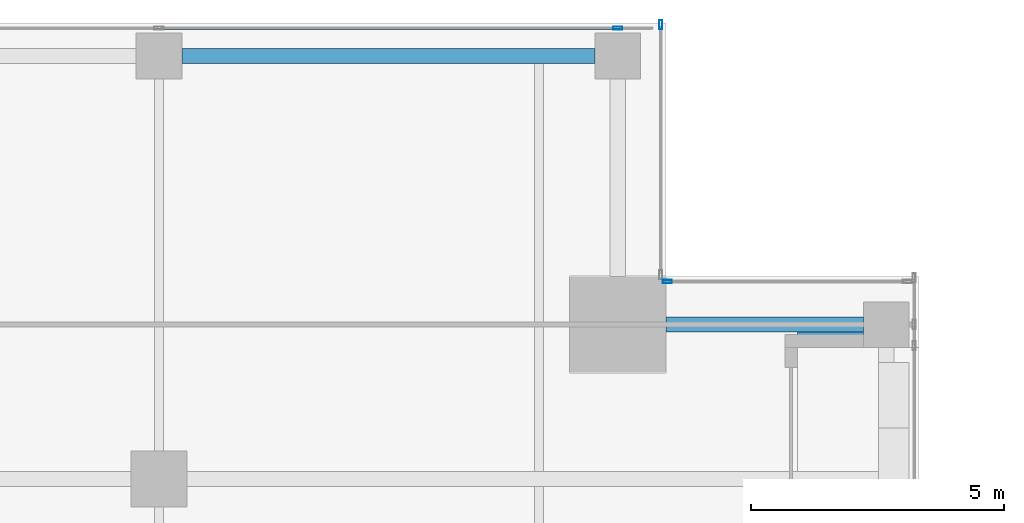
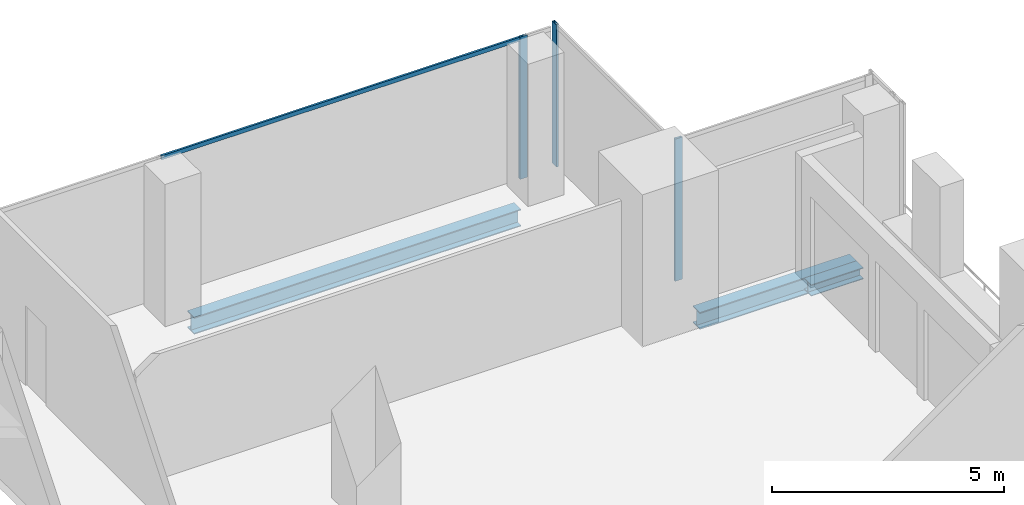
# One storey, part 21 of 34: 4 members, 3 beams, 3 elements without a shape of their own.
"""IFC4 building model written with IfcOpenShell, lengths in metres."""

from ifc_helpers import new_model, si_unit, direction, frame, origin, origin_2d, place, context, subcontext, project, spatial, hollow_rectangle, i_section, extrude, source, transform, mapped, material, material_profile, profile_set, type_object, element, aggregate, save


model = new_model("IFC4")

# Units and contexts
model_context = context("Model", 3, precision=1e-05, world=origin(), true_north=direction((0.0, 1.0)))
body_context = subcontext(model_context, "Body", "Model", "MODEL_VIEW")
ifc_project = project(units=[si_unit("LENGTHUNIT", "METRE"), si_unit("AREAUNIT", "SQUARE_METRE"), si_unit("VOLUMEUNIT", "CUBIC_METRE"), si_unit("PLANEANGLEUNIT", "RADIAN"), si_unit("MASSUNIT", "GRAM", prefix="KILO")], contexts=[model_context])

# Site, building, storey
site_placement = place(None, origin())
site = spatial("IfcSite", under=ifc_project, at=site_placement, CompositionType="ELEMENT")
building_placement = place(site_placement, origin())
building = spatial("IfcBuilding", under=site, at=building_placement, Name="Khomas Fold Tower", CompositionType="ELEMENT")
storey_placement = place(building_placement, frame((0.0, 0.0, 254.199951171875)))
storey = spatial("IfcBuildingStorey", under=building, at=storey_placement, Name="L57", CompositionType="ELEMENT", Elevation=254.199951171875)

# Beams
ifc_material_1 = material(Name="Steel S355", Category="steel")
ifc_material_profile_1 = material_profile(ifc_material_1, i_section(OverallWidth=0.300048828125, OverallDepth=0.449951171875, WebThickness=0.013916015625, FlangeThickness=0.02587890625, at=origin_2d()), Name="HE 450 B")
ifc_profile_set_1 = profile_set([ifc_material_profile_1], Name="Steel S355")
beam_type_1 = type_object("IfcBeamType", Name="HE 450 B spandrel SB4", PredefinedType="SPANDREL", material=ifc_profile_set_1)
shared_shape_1 = source(origin(), body_context, "Body", "SweptSolid", [
    extrude(i_section(OverallWidth=0.300048828125, OverallDepth=0.449951171875, WebThickness=0.013916015625, FlangeThickness=0.02587890625, at=origin_2d()), origin(), (0.0, 0.0, 1.0), 8.150146484375),
])
beam_1_placement = place(storey_placement, frame((34.949951171875, 48.85009765625, -0.474853515625), z_axis=(1.0, 0.0, 0.0), x_axis=(0.0, 1.0, 0.0)))
element("IfcBeam", 1, at=beam_1_placement, inside=storey, type_object=beam_type_1, Name="SB4", PredefinedType="SPANDREL", context=body_context, shape_type="MappedRepresentation", body=[
    mapped(shared_shape_1, transform((0.0, 0.0, 0.0))),
])
shared_shape_2 = source(origin(), body_context, "Body", "SweptSolid", [
    extrude(i_section(OverallWidth=0.300048828125, OverallDepth=0.449951171875, WebThickness=0.013916015625, FlangeThickness=0.02587890625, at=origin_2d()), origin(), (0.0, 0.0, 1.0), 3.89990234375),
])
beam_2_placement = place(storey_placement, frame((44.5, 43.550048828125, -0.474853515625), z_axis=(1.0, 0.0, 0.0), x_axis=(0.0, 1.0, 0.0)))
element("IfcBeam", 2, at=beam_2_placement, inside=storey, type_object=beam_type_1, Name="SB4", PredefinedType="SPANDREL", context=body_context, shape_type="MappedRepresentation", body=[
    mapped(shared_shape_2, transform((0.0, 0.0, 0.0))),
])
ifc_material_2 = material(Name="Steel S355", Category="steel")
ifc_material_profile_2 = material_profile(ifc_material_2, i_section(OverallWidth=0.300048828125, OverallDepth=0.300048828125, WebThickness=0.010986328125, FlangeThickness=0.01904296875, at=origin_2d()), Name="HE 300 B")
ifc_profile_set_2 = profile_set([ifc_material_profile_2], Name="Steel S355")
beam_type_2 = type_object("IfcBeamType", Name="HE 300 B beam BB1", PredefinedType="BEAM", material=ifc_profile_set_2)
shared_shape_3 = source(origin(), body_context, "Body", "SweptSolid", [
    extrude(i_section(OverallWidth=0.300048828125, OverallDepth=0.300048828125, WebThickness=0.010986328125, FlangeThickness=0.01904296875, at=origin_2d()), origin(), (0.0, 0.0, 1.0), 1.2998046875),
])
beam_3_placement = place(storey_placement, frame((47.10009765625, 43.25, -0.39990234375), z_axis=(1.0, 0.0, 0.0), x_axis=(0.0, 1.0, 0.0)))
element("IfcBeam", 3, at=beam_3_placement, inside=storey, type_object=beam_type_2, Name="BB1", PredefinedType="BEAM", context=body_context, shape_type="MappedRepresentation", body=[
    mapped(shared_shape_3, transform((0.0, 0.0, 0.0))),
])

# Curtain wall, member
ifc_material_3 = material(Name="Aluminium framed double glazing", Category="aluminium")
curtain_wall_type = type_object("IfcCurtainWallType", Name="SK-Unitised clear-glass wall, office floors CW2", PredefinedType="NOTDEFINED", material=ifc_material_3)
curtain_wall_1_placement = place(storey_placement, origin())
curtain_wall_1 = element("IfcCurtainWall", 4, at=curtain_wall_1_placement, inside=storey, type_object=curtain_wall_type, Name="CW2 corner return L57 04", PredefinedType="NOTDEFINED")
ifc_material_4 = material(Name="Aluminium", Category="aluminium")
ifc_material_profile_3 = material_profile(ifc_material_4, hollow_rectangle(XDim=0.06005859375, YDim=0.179931640625, WallThickness=0.00390625, at=origin_2d()), Name="SK-Unitised clear-glass wall, office floors mullion CW2-M")
ifc_profile_set_3 = profile_set([ifc_material_profile_3], Name="Aluminium")
member_type_1 = type_object("IfcMemberType", Name="SK-Unitised clear-glass wall, office floors mullion CW2-M", PredefinedType="MULLION", material=ifc_profile_set_3)
shared_shape_4 = source(origin(), body_context, "Body", "SweptSolid", [
    extrude(hollow_rectangle(XDim=0.06005859375, YDim=0.179931640625, WallThickness=0.00390625, at=origin_2d()), origin(), (0.0, 0.0, 1.0), 3.75),
])
member_1_placement = place(storey_placement, frame((44.530029296875, 44.39990234375, 0.0), z_axis=(0.0, 0.0, 1.0), x_axis=(0.0, -1.0, 0.0)))
member_1 = element("IfcMember", 5, at=member_1_placement, type_object=member_type_1, Name="CW2 mullion 2", PredefinedType="MULLION", context=body_context, shape_type="MappedRepresentation", body=[
    mapped(shared_shape_4, transform((0.0, 0.0, 0.0))),
])
aggregate(curtain_wall_1, [member_1])

curtain_wall_2_placement = place(storey_placement, origin())
curtain_wall_2 = element("IfcCurtainWall", 6, at=curtain_wall_2_placement, inside=storey, type_object=curtain_wall_type, Name="CW2 corner return L57 05", PredefinedType="NOTDEFINED")
member_2_placement = place(storey_placement, frame((44.39990234375, 49.469970703125, 0.0), z_axis=(0.0, 0.0, 1.0), x_axis=(-1.0, 0.0, 0.0)))
member_2 = element("IfcMember", 7, at=member_2_placement, type_object=member_type_1, Name="CW2 mullion 2", PredefinedType="MULLION", context=body_context, shape_type="MappedRepresentation", body=[
    mapped(shared_shape_4, transform((0.0, 0.0, 0.0))),
])
aggregate(curtain_wall_2, [member_2])

# Curtain wall, members
curtain_wall_3_placement = place(storey_placement, origin())
curtain_wall_3 = element("IfcCurtainWall", 8, at=curtain_wall_3_placement, inside=storey, type_object=curtain_wall_type, Name="CW2 run L57 06-0", PredefinedType="NOTDEFINED")
member_3_placement = place(storey_placement, frame((43.550048828125, 49.39990234375, 0.0), z_axis=(0.0, 0.0, 1.0), x_axis=(0.0, -1.0, 0.0)))
member_3 = element("IfcMember", 9, at=member_3_placement, type_object=member_type_1, Name="CW2 mullion 2", PredefinedType="MULLION", context=body_context, shape_type="MappedRepresentation", body=[
    mapped(shared_shape_4, transform((0.0, 0.0, 0.0))),
])
ifc_material_5 = material(Name="Aluminium", Category="aluminium")
ifc_material_profile_4 = material_profile(ifc_material_5, hollow_rectangle(XDim=0.050048828125, YDim=0.110107421875, WallThickness=0.00390625, at=origin_2d()), Name="SK-Unitised clear-glass wall, office floors transom CW2-T")
ifc_profile_set_4 = profile_set([ifc_material_profile_4], Name="Aluminium")
member_type_2 = type_object("IfcMemberType", Name="SK-Unitised clear-glass wall, office floors transom CW2-T", PredefinedType="USERDEFINED", material=ifc_profile_set_4)
shared_shape_5 = source(origin(), body_context, "Body", "SweptSolid", [
    extrude(hollow_rectangle(XDim=0.050048828125, YDim=0.110107421875, WallThickness=0.00390625, at=origin_2d()), origin(), (0.0, 0.0, 1.0), 8.989990234375),
])
member_4_placement = place(storey_placement, frame((43.52001953125, 49.39990234375, 3.695068359375), z_axis=(-1.0, 0.0, 0.0), x_axis=(0.0, -1.0, 0.0)))
member_4 = element("IfcMember", 10, at=member_4_placement, type_object=member_type_2, Name="CW2 transom 2", ObjectType="TRANSOM", PredefinedType="USERDEFINED", context=body_context, shape_type="MappedRepresentation", body=[
    mapped(shared_shape_5, transform((0.0, 0.0, 0.0))),
])
aggregate(curtain_wall_3, [member_3, member_4])

save(model, "model.ifc")
